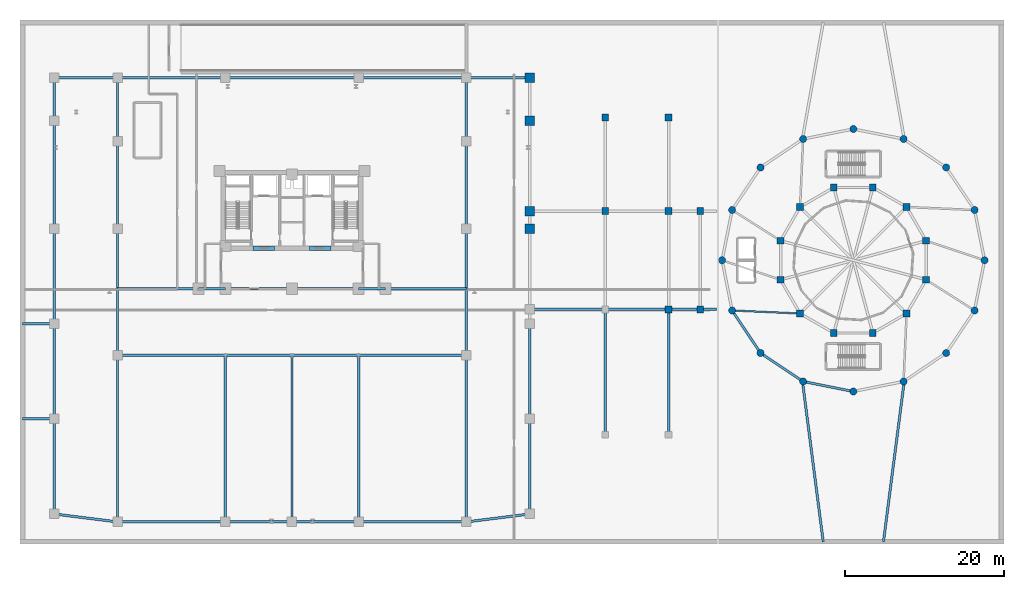
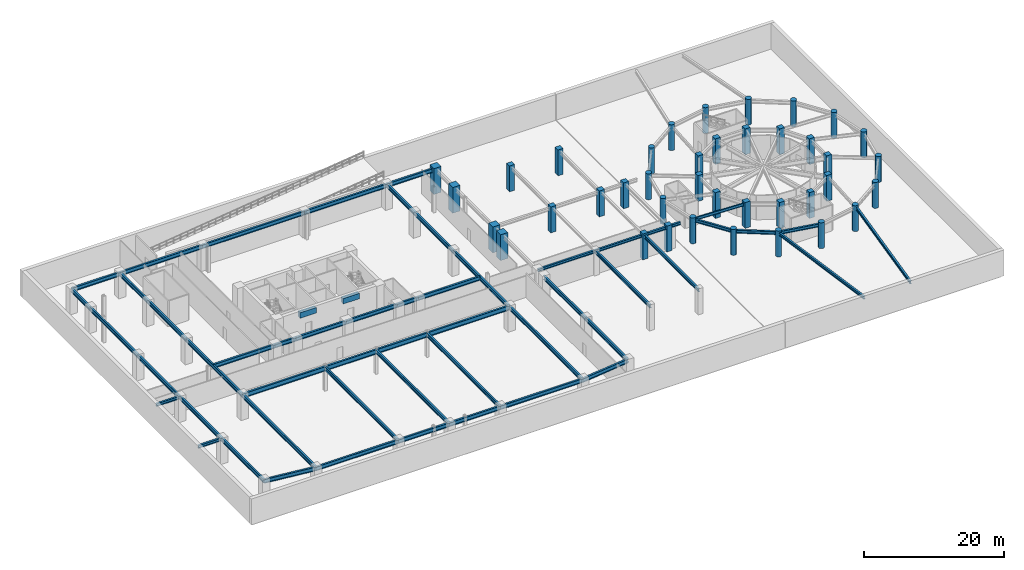
# One storey, part 2 of 15: 53 beams, 39 columns.
"""IFC4 building model written with IfcOpenShell, lengths in metres."""

from ifc_helpers import new_model, si_unit, derived_unit, direction, frame, origin, origin_2d, place, context, subcontext, project, spatial, rectangle, circle, i_section, extrude, source, transform, mapped, material, material_profile, profile_set, type_object, element, save


model = new_model("IFC4")

# Units and contexts
model_context = context("Model", 3, precision=1e-05, world=origin(), true_north=direction((0.0, 1.0)))
body_context = subcontext(model_context, "Body", "Model", "MODEL_VIEW")
ifc_project = project(units=[si_unit("LENGTHUNIT", "METRE"), si_unit("AREAUNIT", "SQUARE_METRE"), si_unit("VOLUMEUNIT", "CUBIC_METRE"), si_unit("PLANEANGLEUNIT", "RADIAN"), si_unit("MASSUNIT", "GRAM", prefix="KILO"), derived_unit("THERMALTRANSMITTANCEUNIT", [(si_unit("POWERUNIT", "WATT"), 1), (si_unit("LENGTHUNIT", "METRE"), -2), (si_unit("THERMODYNAMICTEMPERATUREUNIT", "KELVIN"), -1)])], contexts=[model_context])

# Site, building, storey
site_placement = place(None, origin())
site = spatial("IfcSite", under=ifc_project, at=site_placement, CompositionType="ELEMENT")
building_placement = place(site_placement, origin())
building = spatial("IfcBuilding", under=site, at=building_placement, Name="Korsvarv Bourse and Concert Hall", CompositionType="ELEMENT")
storey_placement = place(building_placement, frame((0.0, 0.0, -4.5)))
storey = spatial("IfcBuildingStorey", under=building, at=storey_placement, Name="B01", CompositionType="ELEMENT", Elevation=-4.5)

# Columns
ifc_material_1 = material(Name="Concrete C60/75", Category="concrete")
ifc_material_profile_1 = material_profile(ifc_material_1, rectangle(XDim=1.199951171875, YDim=1.199951171875, at=origin_2d()), Name="RC 1200x1200")
ifc_profile_set_1 = profile_set([ifc_material_profile_1], Name="Concrete C60/75")
column_type_1 = type_object("IfcColumnType", Name="COL-RC1200", PredefinedType="COLUMN", material=ifc_profile_set_1)
shared_shape_1 = source(origin(), body_context, "Body", "SweptSolid", [
    extrude(rectangle(XDim=1.199951171875, YDim=1.199951171875, at=origin_2d()), origin(), (0.0, 0.0, 1.0), 4.5),
])
for number, where, z_axis, x_axis, name in (
    (1, (66.0, 40.0, 0.0), (0.0, 0.0, 1.0), (1.0, 0.0, 0.0), "B01 column C-02"),
    (2, (66.0, 53.60009765625, 0.0), (0.0, 0.0, 1.0), (1.0, 0.0, 0.0), "B01 column C-02"),
    (3, (66.0, 59.0, 0.0), (0.0, 0.0, 1.0), (1.0, 0.0, 0.0), "B01 column C-02"),
    (4, (66.0, 42.199951171875, 0.0), (0.0, 0.0, 1.0), (1.0, 0.0, 0.0), "B01 column C-02"),
):
    element("IfcColumn", number, at=place(storey_placement, frame(where, z_axis=z_axis, x_axis=x_axis)), inside=storey, type_object=column_type_1, Name=name, PredefinedType="COLUMN", context=body_context, shape_type="MappedRepresentation", body=[
        mapped(shared_shape_1, transform((0.0, 0.0, 0.0), scale=1.0)),
    ])
ifc_material_2 = material(Name="Concrete C50/60", Category="concrete")
ifc_material_profile_2 = material_profile(ifc_material_2, rectangle(XDim=0.85009765625, YDim=0.85009765625, at=origin_2d()), Name="RC 850x850")
ifc_profile_set_2 = profile_set([ifc_material_profile_2], Name="Concrete C50/60")
column_type_2 = type_object("IfcColumnType", Name="COL-RC850", PredefinedType="COLUMN", material=ifc_profile_set_2)
shared_shape_2 = source(origin(), body_context, "Body", "SweptSolid", [
    extrude(rectangle(XDim=0.85009765625, YDim=0.85009765625, at=origin_2d()), origin(), (0.0, 0.0, 1.0), 4.5),
])
for number, where, z_axis, x_axis, name in (
    (5, (75.5, 42.199951171875, 0.0), (0.0, 0.0, 1.0), (1.0, 0.0, 0.0), "B01 column C-04"),
    (6, (83.5, 29.800048828125, 0.0), (0.0, 0.0, 1.0), (1.0, 0.0, 0.0), "B01 column C-04"),
    (7, (83.5, 42.199951171875, 0.0), (0.0, 0.0, 1.0), (1.0, 0.0, 0.0), "B01 column C-04"),
    (8, (87.5, 29.800048828125, 0.0), (0.0, 0.0, 1.0), (1.0, 0.0, 0.0), "B01 column C-04"),
    (9, (87.5, 42.199951171875, 0.0), (0.0, 0.0, 1.0), (1.0, 0.0, 0.0), "B01 column C-04"),
    (10, (75.5, 54.0, 0.0), (0.0, 0.0, 1.0), (1.0, 0.0, 0.0), "B01 column C-04"),
    (11, (83.5, 54.0, 0.0), (0.0, 0.0, 1.0), (1.0, 0.0, 0.0), "B01 column C-04"),
    (12, (115.976318359375, 38.458740234375, 0.0), (0.0, 0.0, 1.0), (1.0, 0.0, 0.0), "B01 column C-04"),
    (13, (113.517578125, 42.717529296875, 0.0), (0.0, 0.0, 1.0), (1.0, 0.0, 0.0), "B01 column C-04"),
    (14, (109.2587890625, 45.17626953125, 0.0), (0.0, 0.0, 1.0), (1.0, 0.0, 0.0), "B01 column C-04"),
    (15, (104.34130859375, 45.17626953125, 0.0), (0.0, 0.0, 1.0), (1.0, 0.0, 0.0), "B01 column C-04"),
    (16, (100.08251953125, 42.717529296875, 0.0), (0.0, 0.0, 1.0), (1.0, 0.0, 0.0), "B01 column C-04"),
    (17, (97.623779296875, 38.458740234375, 0.0), (0.0, 0.0, 1.0), (1.0, 0.0, 0.0), "B01 column C-04"),
    (18, (97.623779296875, 33.541259765625, 0.0), (0.0, 0.0, 1.0), (1.0, 0.0, 0.0), "B01 column C-04"),
    (19, (100.08251953125, 29.282470703125, 0.0), (0.0, 0.0, 1.0), (1.0, 0.0, 0.0), "B01 column C-04"),
    (20, (104.34130859375, 26.82373046875, 0.0), (0.0, 0.0, 1.0), (1.0, 0.0, 0.0), "B01 column C-04"),
    (21, (109.2587890625, 26.82373046875, 0.0), (0.0, 0.0, 1.0), (1.0, 0.0, 0.0), "B01 column C-04"),
    (22, (113.517578125, 29.282470703125, 0.0), (0.0, 0.0, 1.0), (1.0, 0.0, 0.0), "B01 column C-04"),
    (23, (115.976318359375, 33.541259765625, 0.0), (0.0, 0.0, 1.0), (1.0, 0.0, 0.0), "B01 column C-04"),
):
    element("IfcColumn", number, at=place(storey_placement, frame(where, z_axis=z_axis, x_axis=x_axis)), inside=storey, type_object=column_type_2, Name=name, PredefinedType="COLUMN", context=body_context, shape_type="MappedRepresentation", body=[
        mapped(shared_shape_2, transform((0.0, 0.0, 0.0), scale=1.0)),
    ])
ifc_material_profile_3 = material_profile(ifc_material_2, circle(Radius=0.449951171875, at=origin_2d()), Name="RC-D900")
ifc_profile_set_3 = profile_set([ifc_material_profile_3], Name="Concrete C50/60")
column_type_3 = type_object("IfcColumnType", Name="COL-RCD900", PredefinedType="COLUMN", material=ifc_profile_set_3)
shared_shape_3 = source(origin(), body_context, "Body", "SweptSolid", [
    extrude(circle(Radius=0.449951171875, at=origin_2d()), origin(), (0.0, 0.0, 1.0), 4.5),
])
for number, where, z_axis, x_axis, name in (
    (24, (123.35009765625, 36.0, 0.0), (0.0, 0.0, 1.0), (1.0, 0.0, 0.0), "B01 column C-06"),
    (25, (122.090087890625, 42.33349609375, 0.0), (0.0, 0.0, 1.0), (1.0, 0.0, 0.0), "B01 column C-06"),
    (26, (118.502685546875, 47.70263671875, 0.0), (0.0, 0.0, 1.0), (1.0, 0.0, 0.0), "B01 column C-06"),
    (27, (113.13330078125, 51.290283203125, 0.0), (0.0, 0.0, 1.0), (1.0, 0.0, 0.0), "B01 column C-06"),
    (28, (106.800048828125, 52.550048828125, 0.0), (0.0, 0.0, 1.0), (1.0, 0.0, 0.0), "B01 column C-06"),
    (29, (100.466552734375, 51.290283203125, 0.0), (0.0, 0.0, 1.0), (1.0, 0.0, 0.0), "B01 column C-06"),
    (30, (95.097412109375, 47.70263671875, 0.0), (0.0, 0.0, 1.0), (1.0, 0.0, 0.0), "B01 column C-06"),
    (31, (91.509765625, 42.33349609375, 0.0), (0.0, 0.0, 1.0), (1.0, 0.0, 0.0), "B01 column C-06"),
    (32, (90.25, 36.0, 0.0), (0.0, 0.0, 1.0), (1.0, 0.0, 0.0), "B01 column C-06"),
    (33, (91.509765625, 29.66650390625, 0.0), (0.0, 0.0, 1.0), (1.0, 0.0, 0.0), "B01 column C-06"),
    (34, (95.097412109375, 24.29736328125, 0.0), (0.0, 0.0, 1.0), (1.0, 0.0, 0.0), "B01 column C-06"),
    (35, (100.466552734375, 20.709716796875, 0.0), (0.0, 0.0, 1.0), (1.0, 0.0, 0.0), "B01 column C-06"),
    (36, (106.800048828125, 19.449951171875, 0.0), (0.0, 0.0, 1.0), (1.0, 0.0, 0.0), "B01 column C-06"),
    (37, (113.13330078125, 20.709716796875, 0.0), (0.0, 0.0, 1.0), (1.0, 0.0, 0.0), "B01 column C-06"),
    (38, (118.502685546875, 24.29736328125, 0.0), (0.0, 0.0, 1.0), (1.0, 0.0, 0.0), "B01 column C-06"),
    (39, (122.090087890625, 29.66650390625, 0.0), (0.0, 0.0, 1.0), (1.0, 0.0, 0.0), "B01 column C-06"),
):
    element("IfcColumn", number, at=place(storey_placement, frame(where, z_axis=z_axis, x_axis=x_axis)), inside=storey, type_object=column_type_3, Name=name, PredefinedType="COLUMN", context=body_context, shape_type="MappedRepresentation", body=[
        mapped(shared_shape_3, transform((0.0, 0.0, 0.0), scale=1.0)),
    ])

# Beams
ifc_material_3 = material(Name="Concrete C55/67", Category="concrete")
ifc_material_profile_4 = material_profile(ifc_material_3, rectangle(XDim=0.60009765625, YDim=0.949951171875, at=origin_2d()), Name="RC-BM 600x950")
ifc_profile_set_4 = profile_set([ifc_material_profile_4], Name="Concrete C55/67")
beam_type_1 = type_object("IfcBeamType", Name="BM-CPL", PredefinedType="LINTEL", material=ifc_profile_set_4)
shared_shape_4 = source(origin(), body_context, "Body", "SweptSolid", [
    extrude(rectangle(XDim=0.60009765625, YDim=0.949951171875, at=origin_2d()), origin(), (0.0, 0.0, 1.0), 2.699951171875),
])
for number, where, z_axis, x_axis, name in (
    (40, (31.10009765625, 37.52490234375, 3.7451171875), (1.0, 0.0, 0.0), (0.0, 1.0, 0.0), "B01 Core Coupling Beam West"),
    (41, (38.199951171875, 37.52490234375, 3.7451171875), (1.0, 0.0, 0.0), (0.0, 1.0, 0.0), "B01 Core Coupling Beam East"),
):
    element("IfcBeam", number, at=place(storey_placement, frame(where, z_axis=z_axis, x_axis=x_axis)), inside=storey, type_object=beam_type_1, Name=name, PredefinedType="LINTEL", context=body_context, shape_type="MappedRepresentation", body=[
        mapped(shared_shape_4, transform((0.0, 0.0, 0.0), scale=1.0)),
    ])
ifc_material_4 = material(Name="Steel S355", Category="steel")
ifc_material_profile_5 = material_profile(ifc_material_4, i_section(OverallWidth=0.300048828125, OverallDepth=0.489990234375, WebThickness=0.011962890625, FlangeThickness=0.02294921875, FilletRadius=0.02392578125, at=origin_2d()), Name="HEA 500")
ifc_profile_set_5 = profile_set([ifc_material_profile_5], Name="Steel S355")
beam_type_2 = type_object("IfcBeamType", Name="BM-HEA500", PredefinedType="BEAM", material=ifc_profile_set_5)
shared_shape_5 = source(origin(), body_context, "Body", "SweptSolid", [
    extrude(i_section(OverallWidth=0.300048828125, OverallDepth=0.489990234375, WebThickness=0.011962890625, FlangeThickness=0.02294921875, FilletRadius=0.02392578125, at=origin_2d()), origin(), (0.0, 0.0, 1.0), 9.5),
])
beam_1_placement = place(storey_placement, frame((66.0, 29.800048828125, 3.97509765625), z_axis=(1.0, 0.0, 0.0), x_axis=(0.0, 1.0, 0.0)))
element("IfcBeam", 42, at=beam_1_placement, inside=storey, type_object=beam_type_2, Name="B01 beam B-10", PredefinedType="BEAM", context=body_context, shape_type="MappedRepresentation", body=[
    mapped(shared_shape_5, transform((0.0, 0.0, 0.0), scale=1.0)),
])
shared_shape_6 = source(origin(), body_context, "Body", "SweptSolid", [
    extrude(i_section(OverallWidth=0.300048828125, OverallDepth=0.489990234375, WebThickness=0.011962890625, FlangeThickness=0.02294921875, FilletRadius=0.02392578125, at=origin_2d()), origin(), (0.0, 0.0, 1.0), 8.0),
])
beam_2_placement = place(storey_placement, frame((75.5, 29.800048828125, 3.97509765625), z_axis=(1.0, 0.0, 0.0), x_axis=(0.0, 1.0, 0.0)))
element("IfcBeam", 43, at=beam_2_placement, inside=storey, type_object=beam_type_2, Name="B01 beam B-10", PredefinedType="BEAM", context=body_context, shape_type="MappedRepresentation", body=[
    mapped(shared_shape_6, transform((0.0, 0.0, 0.0), scale=1.0)),
])
shared_shape_7 = source(origin(), body_context, "Body", "SweptSolid", [
    extrude(i_section(OverallWidth=0.300048828125, OverallDepth=0.489990234375, WebThickness=0.011962890625, FlangeThickness=0.02294921875, FilletRadius=0.02392578125, at=origin_2d()), origin(), (0.0, 0.0, 1.0), 4.0),
])
beam_3_placement = place(storey_placement, frame((83.5, 29.800048828125, 3.97509765625), z_axis=(1.0, 0.0, 0.0), x_axis=(0.0, 1.0, 0.0)))
element("IfcBeam", 44, at=beam_3_placement, inside=storey, type_object=beam_type_2, Name="B01 beam B-10", PredefinedType="BEAM", context=body_context, shape_type="MappedRepresentation", body=[
    mapped(shared_shape_7, transform((0.0, 0.0, 0.0), scale=1.0)),
])
shared_shape_8 = source(origin(), body_context, "Body", "SweptSolid", [
    extrude(i_section(OverallWidth=0.300048828125, OverallDepth=0.489990234375, WebThickness=0.011962890625, FlangeThickness=0.02294921875, FilletRadius=0.02392578125, at=origin_2d()), origin(), (0.0, 0.0, 1.0), 2.02001953125),
])
beam_4_placement = place(storey_placement, frame((87.5, 29.800048828125, 3.97509765625), z_axis=(1.0, 0.0, 0.0), x_axis=(0.0, 1.0, 0.0)))
element("IfcBeam", 45, at=beam_4_placement, inside=storey, type_object=beam_type_2, Name="B01 beam B-10", PredefinedType="BEAM", context=body_context, shape_type="MappedRepresentation", body=[
    mapped(shared_shape_8, transform((0.0, 0.0, 0.0), scale=1.0)),
])
ifc_material_profile_6 = material_profile(ifc_material_4, i_section(OverallWidth=0.300048828125, OverallDepth=0.60009765625, WebThickness=0.015380859375, FlangeThickness=0.030029296875, FilletRadius=0.02392578125, at=origin_2d()), Name="HEB 600")
ifc_profile_set_6 = profile_set([ifc_material_profile_6], Name="Steel S355")
beam_type_3 = type_object("IfcBeamType", Name="BM-HEB600", PredefinedType="BEAM", material=ifc_profile_set_6)
shared_shape_9 = source(origin(), body_context, "Body", "SweptSolid", [
    extrude(i_section(OverallWidth=0.300048828125, OverallDepth=0.60009765625, WebThickness=0.015380859375, FlangeThickness=0.030029296875, FilletRadius=0.02392578125, at=origin_2d()), origin(), (0.0, 0.0, 1.0), 15.800048828125),
])
for number, where, z_axis, x_axis, name in (
    (46, (75.5, 14.0, 3.919921875), (0.0, 1.0, 0.0), (-1.0, 0.0, 0.0), "B01 beam B-05"),
    (47, (83.5, 14.0, 3.919921875), (0.0, 1.0, 0.0), (-1.0, 0.0, 0.0), "B01 beam B-05"),
):
    element("IfcBeam", number, at=place(storey_placement, frame(where, z_axis=z_axis, x_axis=x_axis)), inside=storey, type_object=beam_type_3, Name=name, PredefinedType="BEAM", context=body_context, shape_type="MappedRepresentation", body=[
        mapped(shared_shape_9, transform((0.0, 0.0, 0.0), scale=1.0)),
    ])
ifc_material_profile_7 = material_profile(ifc_material_4, i_section(OverallWidth=0.300048828125, OverallDepth=0.699951171875, WebThickness=0.01708984375, FlangeThickness=0.031982421875, FilletRadius=0.027099609375, at=origin_2d()), Name="HEB 700")
ifc_profile_set_7 = profile_set([ifc_material_profile_7], Name="Steel S355")
beam_type_4 = type_object("IfcBeamType", Name="BM-HEB700", PredefinedType="BEAM", material=ifc_profile_set_7)
shared_shape_10 = source(origin(), body_context, "Body", "SweptSolid", [
    extrude(i_section(OverallWidth=0.300048828125, OverallDepth=0.699951171875, WebThickness=0.01708984375, FlangeThickness=0.031982421875, FilletRadius=0.027099609375, at=origin_2d()), origin(), (0.0, 0.0, 1.0), 12.0),
])
for number, where, z_axis, x_axis, name in (
    (48, (6.0, 4.0, 3.8701171875), (0.0, 1.0, 0.0), (-1.0, 0.0, 0.0), "B01 beam B-03"),
    (49, (6.0, 16.0, 3.8701171875), (0.0, 1.0, 0.0), (-1.0, 0.0, 0.0), "B01 beam B-03"),
    (50, (6.0, 28.0, 3.8701171875), (0.0, 1.0, 0.0), (-1.0, 0.0, 0.0), "B01 beam B-03"),
    (51, (66.0, 4.0, 3.8701171875), (0.0, 1.0, 0.0), (-1.0, 0.0, 0.0), "B01 beam B-03"),
    (52, (66.0, 16.0, 3.8701171875), (0.0, 1.0, 0.0), (-1.0, 0.0, 0.0), "B01 beam B-03"),
):
    element("IfcBeam", number, at=place(storey_placement, frame(where, z_axis=z_axis, x_axis=x_axis)), inside=storey, type_object=beam_type_4, Name=name, PredefinedType="BEAM", context=body_context, shape_type="MappedRepresentation", body=[
        mapped(shared_shape_10, transform((0.0, 0.0, 0.0), scale=1.0)),
    ])
shared_shape_11 = source(origin(), body_context, "Body", "SweptSolid", [
    extrude(i_section(OverallWidth=0.300048828125, OverallDepth=0.699951171875, WebThickness=0.01708984375, FlangeThickness=0.031982421875, FilletRadius=0.027099609375, at=origin_2d()), origin(), (0.0, 0.0, 1.0), 13.60009765625),
])
for number, where, z_axis, x_axis, name in (
    (53, (6.0, 40.0, 3.8701171875), (0.0, 1.0, 0.0), (-1.0, 0.0, 0.0), "B01 beam B-03"),
    (54, (14.0, 3.0, 3.8701171875), (1.0, 0.0, 0.0), (0.0, 1.0, 0.0), "B01 beam B-03"),
    (55, (44.39990234375, 3.0, 3.8701171875), (1.0, 0.0, 0.0), (0.0, 1.0, 0.0), "B01 beam B-03"),
    (56, (14.0, 59.0, 3.8701171875), (1.0, 0.0, 0.0), (0.0, 1.0, 0.0), "B01 beam B-03"),
    (57, (44.39990234375, 59.0, 3.8701171875), (1.0, 0.0, 0.0), (0.0, 1.0, 0.0), "B01 beam B-03"),
):
    element("IfcBeam", number, at=place(storey_placement, frame(where, z_axis=z_axis, x_axis=x_axis)), inside=storey, type_object=beam_type_4, Name=name, PredefinedType="BEAM", context=body_context, shape_type="MappedRepresentation", body=[
        mapped(shared_shape_11, transform((0.0, 0.0, 0.0), scale=1.0)),
    ])
shared_shape_12 = source(origin(), body_context, "Body", "SweptSolid", [
    extrude(i_section(OverallWidth=0.300048828125, OverallDepth=0.699951171875, WebThickness=0.01708984375, FlangeThickness=0.031982421875, FilletRadius=0.027099609375, at=origin_2d()), origin(), (0.0, 0.0, 1.0), 5.39990234375),
])
beam_5_placement = place(storey_placement, frame((6.0, 53.60009765625, 3.8701171875), z_axis=(0.0, 1.0, 0.0), x_axis=(-1.0, 0.0, 0.0)))
element("IfcBeam", 58, at=beam_5_placement, inside=storey, type_object=beam_type_4, Name="B01 beam B-03", PredefinedType="BEAM", context=body_context, shape_type="MappedRepresentation", body=[
    mapped(shared_shape_12, transform((0.0, 0.0, 0.0), scale=1.0)),
])
shared_shape_13 = source(origin(), body_context, "Body", "SweptSolid", [
    extrude(i_section(OverallWidth=0.300048828125, OverallDepth=0.699951171875, WebThickness=0.01708984375, FlangeThickness=0.031982421875, FilletRadius=0.027099609375, at=origin_2d()), origin(), (0.0, 0.0, 1.0), 8.062255859375),
])
for number, where, z_axis, x_axis, name in (
    (59, (6.0, 4.0, 3.8701171875), (0.992277876714, -0.124034734589, 0.0), (0.124034734589, 0.992277876714, 0.0), "B01 beam B-03"),
    (60, (58.0, 3.0, 3.8701171875), (0.992277876714, 0.124034734589, 0.0), (-0.124034734589, 0.992277876714, 0.0), "B01 beam B-03"),
):
    element("IfcBeam", number, at=place(storey_placement, frame(where, z_axis=z_axis, x_axis=x_axis)), inside=storey, type_object=beam_type_4, Name=name, PredefinedType="BEAM", context=body_context, shape_type="MappedRepresentation", body=[
        mapped(shared_shape_13, transform((0.0, 0.0, 0.0), scale=1.0)),
    ])
shared_shape_14 = source(origin(), body_context, "Body", "SweptSolid", [
    extrude(i_section(OverallWidth=0.300048828125, OverallDepth=0.699951171875, WebThickness=0.01708984375, FlangeThickness=0.031982421875, FilletRadius=0.027099609375, at=origin_2d()), origin(), (0.0, 0.0, 1.0), 8.39990234375),
])
for number, where, z_axis, x_axis, name in (
    (61, (27.60009765625, 3.0, 3.8701171875), (1.0, 0.0, 0.0), (0.0, 1.0, 0.0), "B01 beam B-03"),
    (62, (36.0, 3.0, 3.8701171875), (1.0, 0.0, 0.0), (0.0, 1.0, 0.0), "B01 beam B-03"),
    (63, (27.60009765625, 32.39990234375, 3.8701171875), (1.0, 0.0, 0.0), (0.0, 1.0, 0.0), "B01 beam B-03"),
    (64, (36.0, 32.39990234375, 3.8701171875), (1.0, 0.0, 0.0), (0.0, 1.0, 0.0), "B01 beam B-03"),
):
    element("IfcBeam", number, at=place(storey_placement, frame(where, z_axis=z_axis, x_axis=x_axis)), inside=storey, type_object=beam_type_4, Name=name, PredefinedType="BEAM", context=body_context, shape_type="MappedRepresentation", body=[
        mapped(shared_shape_14, transform((0.0, 0.0, 0.0), scale=1.0)),
    ])
shared_shape_15 = source(origin(), body_context, "Body", "SweptSolid", [
    extrude(i_section(OverallWidth=0.300048828125, OverallDepth=0.699951171875, WebThickness=0.01708984375, FlangeThickness=0.031982421875, FilletRadius=0.027099609375, at=origin_2d()), origin(), (0.0, 0.0, 1.0), 8.0),
])
for number, where, z_axis, x_axis, name in (
    (65, (6.0, 59.0, 3.8701171875), (1.0, 0.0, 0.0), (0.0, 1.0, 0.0), "B01 beam B-03"),
    (66, (58.0, 59.0, 3.8701171875), (1.0, 0.0, 0.0), (0.0, 1.0, 0.0), "B01 beam B-03"),
):
    element("IfcBeam", number, at=place(storey_placement, frame(where, z_axis=z_axis, x_axis=x_axis)), inside=storey, type_object=beam_type_4, Name=name, PredefinedType="BEAM", context=body_context, shape_type="MappedRepresentation", body=[
        mapped(shared_shape_15, transform((0.0, 0.0, 0.0), scale=1.0)),
    ])
shared_shape_16 = source(origin(), body_context, "Body", "SweptSolid", [
    extrude(i_section(OverallWidth=0.300048828125, OverallDepth=0.699951171875, WebThickness=0.01708984375, FlangeThickness=0.031982421875, FilletRadius=0.027099609375, at=origin_2d()), origin(), (0.0, 0.0, 1.0), 16.7998046875),
])
beam_6_placement = place(storey_placement, frame((27.60009765625, 59.0, 3.8701171875), z_axis=(1.0, 0.0, 0.0), x_axis=(0.0, 1.0, 0.0)))
element("IfcBeam", 67, at=beam_6_placement, inside=storey, type_object=beam_type_4, Name="B01 beam B-03", PredefinedType="BEAM", context=body_context, shape_type="MappedRepresentation", body=[
    mapped(shared_shape_16, transform((0.0, 0.0, 0.0), scale=1.0)),
])
shared_shape_17 = source(origin(), body_context, "Body", "SweptSolid", [
    extrude(i_section(OverallWidth=0.300048828125, OverallDepth=0.699951171875, WebThickness=0.01708984375, FlangeThickness=0.031982421875, FilletRadius=0.027099609375, at=origin_2d()), origin(), (0.0, 0.0, 1.0), 21.0),
])
for number, where, z_axis, x_axis, name in (
    (68, (14.0, 3.0, 3.8701171875), (0.0, 1.0, 0.0), (-1.0, 0.0, 0.0), "B01 beam B-03"),
    (69, (58.0, 3.0, 3.8701171875), (0.0, 1.0, 0.0), (-1.0, 0.0, 0.0), "B01 beam B-03"),
):
    element("IfcBeam", number, at=place(storey_placement, frame(where, z_axis=z_axis, x_axis=x_axis)), inside=storey, type_object=beam_type_4, Name=name, PredefinedType="BEAM", context=body_context, shape_type="MappedRepresentation", body=[
        mapped(shared_shape_17, transform((0.0, 0.0, 0.0), scale=1.0)),
    ])
shared_shape_18 = source(origin(), body_context, "Body", "SweptSolid", [
    extrude(i_section(OverallWidth=0.300048828125, OverallDepth=0.699951171875, WebThickness=0.01708984375, FlangeThickness=0.031982421875, FilletRadius=0.027099609375, at=origin_2d()), origin(), (0.0, 0.0, 1.0), 16.0),
])
for number, where, z_axis, x_axis, name in (
    (70, (14.0, 24.0, 3.8701171875), (0.0, 1.0, 0.0), (-1.0, 0.0, 0.0), "B01 beam B-03"),
    (71, (58.0, 24.0, 3.8701171875), (0.0, 1.0, 0.0), (-1.0, 0.0, 0.0), "B01 beam B-03"),
):
    element("IfcBeam", number, at=place(storey_placement, frame(where, z_axis=z_axis, x_axis=x_axis)), inside=storey, type_object=beam_type_4, Name=name, PredefinedType="BEAM", context=body_context, shape_type="MappedRepresentation", body=[
        mapped(shared_shape_18, transform((0.0, 0.0, 0.0), scale=1.0)),
    ])
shared_shape_19 = source(origin(), body_context, "Body", "SweptSolid", [
    extrude(i_section(OverallWidth=0.300048828125, OverallDepth=0.699951171875, WebThickness=0.01708984375, FlangeThickness=0.031982421875, FilletRadius=0.027099609375, at=origin_2d()), origin(), (0.0, 0.0, 1.0), 19.0),
])
for number, where, z_axis, x_axis, name in (
    (72, (14.0, 40.0, 3.8701171875), (0.0, 1.0, 0.0), (-1.0, 0.0, 0.0), "B01 beam B-03"),
    (73, (58.0, 40.0, 3.8701171875), (0.0, 1.0, 0.0), (-1.0, 0.0, 0.0), "B01 beam B-03"),
):
    element("IfcBeam", number, at=place(storey_placement, frame(where, z_axis=z_axis, x_axis=x_axis)), inside=storey, type_object=beam_type_4, Name=name, PredefinedType="BEAM", context=body_context, shape_type="MappedRepresentation", body=[
        mapped(shared_shape_19, transform((0.0, 0.0, 0.0), scale=1.0)),
    ])
shared_shape_20 = source(origin(), body_context, "Body", "SweptSolid", [
    extrude(i_section(OverallWidth=0.300048828125, OverallDepth=0.699951171875, WebThickness=0.01708984375, FlangeThickness=0.031982421875, FilletRadius=0.027099609375, at=origin_2d()), origin(), (0.0, 0.0, 1.0), 10.199951171875),
])
for number, where, z_axis, x_axis, name in (
    (74, (14.0, 32.39990234375, 3.8701171875), (1.0, 0.0, 0.0), (0.0, 1.0, 0.0), "B01 beam B-03"),
    (75, (47.800048828125, 32.39990234375, 3.8701171875), (1.0, 0.0, 0.0), (0.0, 1.0, 0.0), "B01 beam B-03"),
):
    element("IfcBeam", number, at=place(storey_placement, frame(where, z_axis=z_axis, x_axis=x_axis)), inside=storey, type_object=beam_type_4, Name=name, PredefinedType="BEAM", context=body_context, shape_type="MappedRepresentation", body=[
        mapped(shared_shape_20, transform((0.0, 0.0, 0.0), scale=1.0)),
    ])
shared_shape_21 = source(origin(), body_context, "Body", "SweptSolid", [
    extrude(i_section(OverallWidth=0.300048828125, OverallDepth=0.699951171875, WebThickness=0.01708984375, FlangeThickness=0.031982421875, FilletRadius=0.027099609375, at=origin_2d()), origin(), (0.0, 0.0, 1.0), 3.400146484375),
])
for number, where, z_axis, x_axis, name in (
    (76, (24.199951171875, 32.39990234375, 3.8701171875), (1.0, 0.0, 0.0), (0.0, 1.0, 0.0), "B01 beam B-03"),
    (77, (44.39990234375, 32.39990234375, 3.8701171875), (1.0, 0.0, 0.0), (0.0, 1.0, 0.0), "B01 beam B-03"),
):
    element("IfcBeam", number, at=place(storey_placement, frame(where, z_axis=z_axis, x_axis=x_axis)), inside=storey, type_object=beam_type_4, Name=name, PredefinedType="BEAM", context=body_context, shape_type="MappedRepresentation", body=[
        mapped(shared_shape_21, transform((0.0, 0.0, 0.0), scale=1.0)),
    ])
ifc_material_5 = material(Name="Steel S460", Category="steel")
ifc_material_profile_8 = material_profile(ifc_material_5, i_section(OverallWidth=0.300048828125, OverallDepth=0.800048828125, WebThickness=0.017578125, FlangeThickness=0.032958984375, FilletRadius=0.027099609375, at=origin_2d()), Name="HEB 800")
ifc_profile_set_8 = profile_set([ifc_material_profile_8], Name="Steel S460")
beam_type_5 = type_object("IfcBeamType", Name="BM-HEB800", PredefinedType="BEAM", material=ifc_profile_set_8)
shared_shape_22 = source(origin(), body_context, "Body", "SweptSolid", [
    extrude(i_section(OverallWidth=0.300048828125, OverallDepth=0.800048828125, WebThickness=0.017578125, FlangeThickness=0.032958984375, FilletRadius=0.027099609375, at=origin_2d()), origin(), (0.0, 0.0, 1.0), 13.60009765625),
])
for number, where, z_axis, x_axis, name in (
    (78, (14.0, 24.0, 3.820068359375), (1.0, 0.0, 0.0), (0.0, 1.0, 0.0), "B01 beam B-02"),
    (79, (44.39990234375, 24.0, 3.820068359375), (1.0, 0.0, 0.0), (0.0, 1.0, 0.0), "B01 beam B-02"),
):
    element("IfcBeam", number, at=place(storey_placement, frame(where, z_axis=z_axis, x_axis=x_axis)), inside=storey, type_object=beam_type_5, Name=name, PredefinedType="BEAM", context=body_context, shape_type="MappedRepresentation", body=[
        mapped(shared_shape_22, transform((0.0, 0.0, 0.0), scale=1.0)),
    ])
shared_shape_23 = source(origin(), body_context, "Body", "SweptSolid", [
    extrude(i_section(OverallWidth=0.300048828125, OverallDepth=0.800048828125, WebThickness=0.017578125, FlangeThickness=0.032958984375, FilletRadius=0.027099609375, at=origin_2d()), origin(), (0.0, 0.0, 1.0), 8.39990234375),
])
for number, where, z_axis, x_axis, name in (
    (80, (27.60009765625, 24.0, 3.820068359375), (1.0, 0.0, 0.0), (0.0, 1.0, 0.0), "B01 beam B-02"),
    (81, (36.0, 24.0, 3.820068359375), (1.0, 0.0, 0.0), (0.0, 1.0, 0.0), "B01 beam B-02"),
):
    element("IfcBeam", number, at=place(storey_placement, frame(where, z_axis=z_axis, x_axis=x_axis)), inside=storey, type_object=beam_type_5, Name=name, PredefinedType="BEAM", context=body_context, shape_type="MappedRepresentation", body=[
        mapped(shared_shape_23, transform((0.0, 0.0, 0.0), scale=1.0)),
    ])
ifc_material_profile_9 = material_profile(ifc_material_4, i_section(OverallWidth=0.300048828125, OverallDepth=0.64990234375, WebThickness=0.01611328125, FlangeThickness=0.031005859375, FilletRadius=0.027099609375, at=origin_2d()), Name="HEB 650")
ifc_profile_set_9 = profile_set([ifc_material_profile_9], Name="Steel S355")
beam_type_6 = type_object("IfcBeamType", Name="BM-HEB650", PredefinedType="BEAM", material=ifc_profile_set_9)
shared_shape_24 = source(origin(), body_context, "Body", "SweptSolid", [
    extrude(i_section(OverallWidth=0.300048828125, OverallDepth=0.64990234375, WebThickness=0.01611328125, FlangeThickness=0.031005859375, FilletRadius=0.027099609375, at=origin_2d()), origin(), (0.0, 0.0, 1.0), 21.0),
])
for number, where, z_axis, x_axis, name in (
    (82, (27.60009765625, 3.0, 3.89501953125), (0.0, 1.0, 0.0), (-1.0, 0.0, 0.0), "B01 beam B-04"),
    (83, (36.0, 3.0, 3.89501953125), (0.0, 1.0, 0.0), (-1.0, 0.0, 0.0), "B01 beam B-04"),
    (84, (44.39990234375, 3.0, 3.89501953125), (0.0, 1.0, 0.0), (-1.0, 0.0, 0.0), "B01 beam B-04"),
):
    element("IfcBeam", number, at=place(storey_placement, frame(where, z_axis=z_axis, x_axis=x_axis)), inside=storey, type_object=beam_type_6, Name=name, PredefinedType="BEAM", context=body_context, shape_type="MappedRepresentation", body=[
        mapped(shared_shape_24, transform((0.0, 0.0, 0.0), scale=1.0)),
    ])
ifc_material_profile_10 = material_profile(ifc_material_4, i_section(OverallWidth=0.300048828125, OverallDepth=0.550048828125, WebThickness=0.014892578125, FlangeThickness=0.029052734375, FilletRadius=0.02392578125, at=origin_2d()), Name="HEB 550")
ifc_profile_set_10 = profile_set([ifc_material_profile_10], Name="Steel S355")
beam_type_7 = type_object("IfcBeamType", Name="BM-HEB550", PredefinedType="BEAM", material=ifc_profile_set_10)
shared_shape_25 = source(origin(), body_context, "Body", "SweptSolid", [
    extrude(i_section(OverallWidth=0.300048828125, OverallDepth=0.550048828125, WebThickness=0.014892578125, FlangeThickness=0.029052734375, FilletRadius=0.02392578125, at=origin_2d()), origin(), (0.0, 0.0, 1.0), 6.45751953125),
])
for number, where, z_axis, x_axis, name in (
    (85, (91.509765625, 29.66650390625, 3.925048828125), (0.55558109052, -0.83146235745, 0.0), (0.83146235745, 0.55558109052, 0.0), "B01 beam B-06"),
    (86, (95.097412109375, 24.29736328125, 3.925048828125), (0.83146235745, -0.55558109052, 0.0), (0.55558109052, 0.83146235745, 0.0), "B01 beam B-06"),
    (87, (100.466552734375, 20.709716796875, 3.925048828125), (0.980786616034, -0.195083607229, 0.0), (0.195083607229, 0.980786616034, 0.0), "B01 beam B-06"),
):
    element("IfcBeam", number, at=place(storey_placement, frame(where, z_axis=z_axis, x_axis=x_axis)), inside=storey, type_object=beam_type_7, Name=name, PredefinedType="BEAM", context=body_context, shape_type="MappedRepresentation", body=[
        mapped(shared_shape_25, transform((0.0, 0.0, 0.0), scale=1.0)),
    ])
ifc_material_profile_11 = material_profile(ifc_material_4, i_section(OverallWidth=0.199951171875, OverallDepth=0.5, WebThickness=0.01025390625, FlangeThickness=0.01611328125, FilletRadius=0.02099609375, at=origin_2d()), Name="IPE 500")
ifc_profile_set_11 = profile_set([ifc_material_profile_11], Name="Steel S355")
beam_type_8 = type_object("IfcBeamType", Name="BM-IPE500", PredefinedType="JOIST", material=ifc_profile_set_11)
shared_shape_26 = source(origin(), body_context, "Body", "SweptSolid", [
    extrude(i_section(OverallWidth=0.199951171875, OverallDepth=0.5, WebThickness=0.01025390625, FlangeThickness=0.01611328125, FilletRadius=0.02099609375, at=origin_2d()), origin(), (0.0, 0.0, 1.0), 8.581298828125),
])
beam_7_placement = place(storey_placement, frame((100.08251953125, 29.282470703125, 3.949951171875), z_axis=(-0.998998124412, 0.044752066119, 0.0), x_axis=(-0.044752066119, -0.998998124412, 0.0)))
element("IfcBeam", 88, at=beam_7_placement, inside=storey, type_object=beam_type_8, Name="B01 beam J-03", PredefinedType="JOIST", context=body_context, shape_type="MappedRepresentation", body=[
    mapped(shared_shape_26, transform((0.0, 0.0, 0.0), scale=1.0)),
])
ifc_material_profile_12 = material_profile(ifc_material_4, i_section(OverallWidth=0.300048828125, OverallDepth=0.5, WebThickness=0.014404296875, FlangeThickness=0.028076171875, FilletRadius=0.02392578125, at=origin_2d()), Name="HEB 500")
ifc_profile_set_12 = profile_set([ifc_material_profile_12], Name="Steel S355")
beam_type_9 = type_object("IfcBeamType", Name="BM-HEB500", PredefinedType="BEAM", material=ifc_profile_set_12)
shared_shape_27 = source(origin(), body_context, "Body", "SweptSolid", [
    extrude(i_section(OverallWidth=0.300048828125, OverallDepth=0.5, WebThickness=0.014404296875, FlangeThickness=0.028076171875, FilletRadius=0.02392578125, at=origin_2d()), origin(), (0.0, 0.0, 1.0), 4.0),
])
for number, where, z_axis, x_axis, name in (
    (89, (2.0, 16.0, 3.969970703125), (1.0, 0.0, 0.0), (0.0, 1.0, 0.0), "B01 beam B-07"),
    (90, (2.0, 28.0, 3.969970703125), (1.0, 0.0, 0.0), (0.0, 1.0, 0.0), "B01 beam B-07"),
):
    element("IfcBeam", number, at=place(storey_placement, frame(where, z_axis=z_axis, x_axis=x_axis)), inside=storey, type_object=beam_type_9, Name=name, PredefinedType="BEAM", context=body_context, shape_type="MappedRepresentation", body=[
        mapped(shared_shape_27, transform((0.0, 0.0, 0.0), scale=1.0)),
    ])
shared_shape_28 = source(origin(), body_context, "Body", "SweptSolid", [
    extrude(i_section(OverallWidth=0.300048828125, OverallDepth=0.5, WebThickness=0.014404296875, FlangeThickness=0.028076171875, FilletRadius=0.02392578125, at=origin_2d()), origin(), (0.0, 0.0, 1.0), 20.267578125),
])
for number, where, z_axis, x_axis, name in (
    (91, (100.39990234375, 20.60009765625, 3.969970703125), (0.128288567892, -0.991736882116, 0.0), (0.991736882116, 0.128288567892, 0.0), "B01 beam B-07"),
    (92, (113.199951171875, 20.60009765625, 3.969970703125), (-0.12827672024, -0.991738414626, 0.0), (0.991738414626, -0.12827672024, 0.0), "B01 beam B-07"),
):
    element("IfcBeam", number, at=place(storey_placement, frame(where, z_axis=z_axis, x_axis=x_axis)), inside=storey, type_object=beam_type_9, Name=name, PredefinedType="BEAM", context=body_context, shape_type="MappedRepresentation", body=[
        mapped(shared_shape_28, transform((0.0, 0.0, 0.0), scale=1.0)),
    ])

save(model, "model.ifc")
